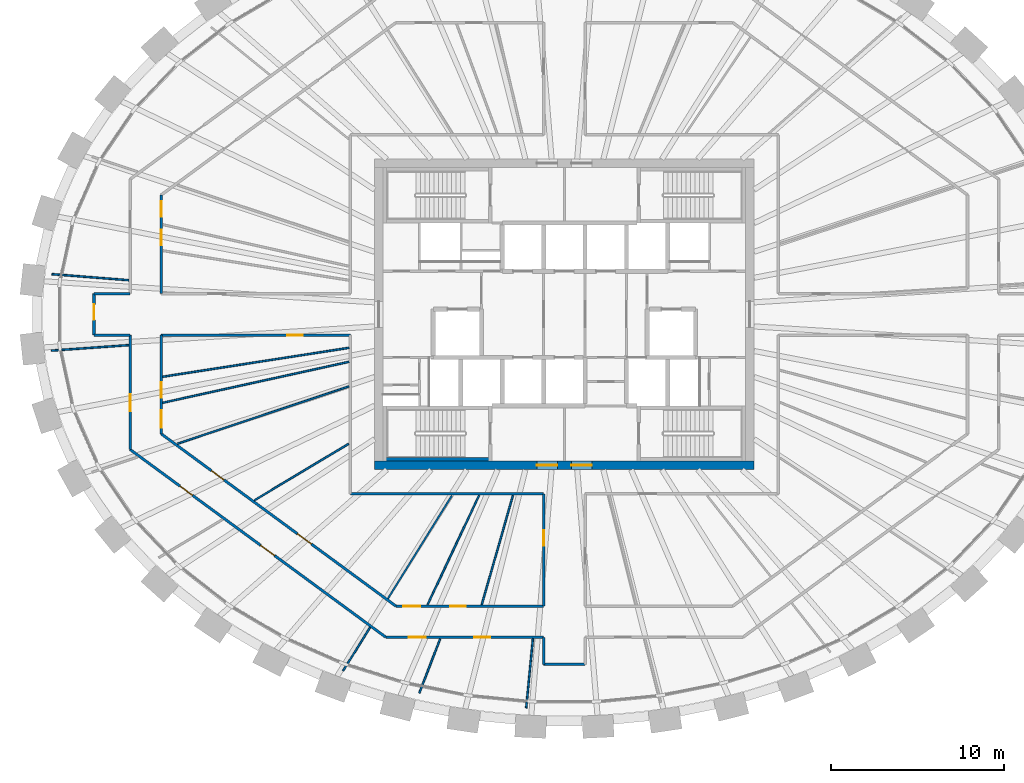
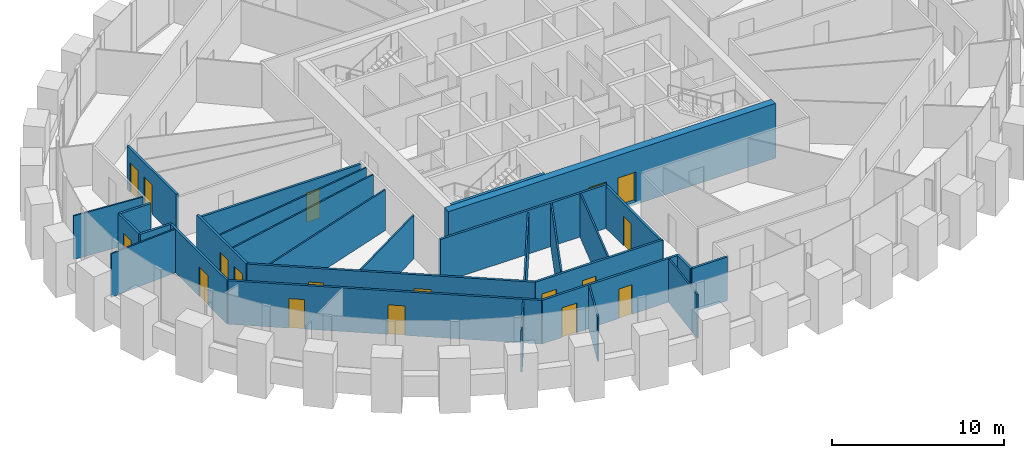
# One storey, part 6 of 12: 29 walls, 18 doors, 18 openings.
"""IFC4 building model written with IfcOpenShell, lengths in metres."""

from ifc_helpers import new_model, si_unit, direction, frame, frame_2d, origin, place, context, subcontext, project, spatial, rectangle, extrude, source, transform, mapped, material, layer, layer_set, type_object, element, fill, save


model = new_model("IFC4")

# Units and contexts
model_context = context("Model", 3, precision=1e-05, world=origin(), true_north=direction((0.0, 1.0)))
body_context = subcontext(model_context, "Body", "Model", "MODEL_VIEW")
ifc_project = project(units=[si_unit("LENGTHUNIT", "METRE"), si_unit("AREAUNIT", "SQUARE_METRE"), si_unit("VOLUMEUNIT", "CUBIC_METRE"), si_unit("PLANEANGLEUNIT", "RADIAN"), si_unit("MASSUNIT", "GRAM", prefix="KILO")], contexts=[model_context])

# Site, building, storey
site_placement = place(None, origin())
site = spatial("IfcSite", under=ifc_project, at=site_placement, CompositionType="ELEMENT")
building_placement = place(site_placement, origin())
building = spatial("IfcBuilding", under=site, at=building_placement, Name="Embergate Tower", CompositionType="ELEMENT")
storey_placement = place(building_placement, frame((0.0, 0.0, 301.300048828125)))
storey = spatial("IfcBuildingStorey", under=building, at=storey_placement, Name="L70", CompositionType="ELEMENT", Elevation=301.300048828125)

# Wall, openings, doors
ifc_material_1 = material(Name="Concrete C50", Category="concrete")
ifc_layer_1 = layer(ifc_material_1, 0.5)
ifc_layer_set_1 = layer_set([ifc_layer_1], Name="Concrete C50")
wall_type_1 = type_object("IfcWallType", Name="Core outer wall C50 500", PredefinedType="SHEAR", material=ifc_layer_set_1)
shared_shape_1 = source(origin(), body_context, "Body", "SweptSolid", [
    extrude(rectangle(XDim=22.0, YDim=0.5, at=frame_2d((11.0, 0.0))), origin(), (0.0, 0.0, 1.0), 3.89990234375),
])
wall_1_placement = place(storey_placement, frame((-11.0, -8.75, -0.199951171875), z_axis=(0.0, 0.0, 1.0), x_axis=(1.0, 0.0, 0.0)))
wall_1 = element("IfcWall", 1, at=wall_1_placement, inside=storey, type_object=wall_type_1, Name="CW-L70-S", PredefinedType="SHEAR", context=body_context, shape_type="MappedRepresentation", body=[
    mapped(shared_shape_1, transform((0.0, 0.0, 0.0))),
])
shared_shape_2 = source(origin(), body_context, "Body", "SweptSolid", [
    extrude(rectangle(XDim=1.199951171875, YDim=2.10009765625, at=frame_2d((0.60009765625, 1.050048828125))), frame((0.0, 0.260009765625, 0.0), z_axis=(0.0, -1.0, 0.0), x_axis=(1.0, 0.0, 0.0)), (0.0, 0.0, 1.0), 0.52001953125),
])
opening_1_placement = place(wall_1_placement, frame((9.39990234375, 0.0, 0.199951171875)))
opening_1 = element("IfcOpeningElement", 2, at=opening_1_placement, cuts=wall_1, Name="Opening IF-1", PredefinedType="OPENING", context=body_context, shape_type="MappedRepresentation", body=[
    mapped(shared_shape_2, transform((0.0, 0.0, 0.0))),
])
opening_2_placement = place(wall_1_placement, frame((11.39990234375, 0.0, 0.199951171875)))
opening_2 = element("IfcOpeningElement", 3, at=opening_2_placement, cuts=wall_1, Name="Opening IF-1", PredefinedType="OPENING", context=body_context, shape_type="MappedRepresentation", body=[
    mapped(shared_shape_2, transform((0.0, 0.0, 0.0))),
])
ifc_material_2 = material(Name="Escape fire door 1200")
door_type_1 = type_object("IfcDoorType", Name="Escape fire door 1200", OperationType="SINGLE_SWING_LEFT", PredefinedType="DOOR", material=ifc_material_2)
shared_shape_3 = source(origin(), body_context, "Body", "SweptSolid", [
    extrude(rectangle(XDim=1.199951171875, YDim=2.10009765625, at=frame_2d((0.60009765625, 1.050048828125))), frame((0.0, 0.02490234375, 0.0), z_axis=(0.0, -1.0, 0.0), x_axis=(1.0, 0.0, 0.0)), (0.0, 0.0, 1.0), 0.050048828125),
])
door_1_placement = place(opening_1_placement, origin())
door_1 = element("IfcDoor", 4, at=door_1_placement, inside=storey, type_object=door_type_1, Name="IF-1 door", OperationType="SINGLE_SWING_LEFT", OverallHeight=2.10009765625, OverallWidth=1.199951171875, PredefinedType="DOOR", context=body_context, shape_type="MappedRepresentation", body=[
    mapped(shared_shape_3, transform((0.0, 0.0, 0.0))),
])
fill(opening_1, door_1)
door_2_placement = place(opening_2_placement, origin())
door_2 = element("IfcDoor", 5, at=door_2_placement, inside=storey, type_object=door_type_1, Name="IF-1 door", OperationType="SINGLE_SWING_LEFT", OverallHeight=2.10009765625, OverallWidth=1.199951171875, PredefinedType="DOOR", context=body_context, shape_type="MappedRepresentation", body=[
    mapped(shared_shape_3, transform((0.0, 0.0, 0.0))),
])
fill(opening_2, door_2)

# Wall
ifc_material_3 = material(Name="Corridor wall dry-lined 150")
ifc_layer_2 = layer(ifc_material_3, 0.14990234375)
ifc_layer_set_2 = layer_set([ifc_layer_2], Name="Corridor wall dry-lined 150")
wall_type_2 = type_object("IfcWallType", Name="Corridor wall dry-lined 150", PredefinedType="PARTITIONING", material=ifc_layer_set_2)
shared_shape_4 = source(origin(), body_context, "Body", "SweptSolid", [
    extrude(rectangle(XDim=2.39990234375, YDim=0.14990234375, at=frame_2d((1.199951171875, 0.0))), origin(), (0.0, 0.0, 1.0), 3.099853515625),
])
wall_2_placement = place(storey_placement, frame((1.199951171875, -20.281005859375, 0.0), z_axis=(0.0, 0.0, 1.0), x_axis=(-1.0, 0.0, 0.0)))
element("IfcWall", 6, at=wall_2_placement, inside=storey, type_object=wall_type_2, Name="IP-2 wall", PredefinedType="PARTITIONING", context=body_context, shape_type="MappedRepresentation", body=[
    mapped(shared_shape_4, transform((0.0, 0.0, 0.0))),
])

# Wall, opening, door
wall_3_placement = place(storey_placement, frame((-27.264892578125, -1.199951171875, 0.0), z_axis=(0.0, 0.0, 1.0), x_axis=(0.0, 1.0, 0.0)))
wall_3 = element("IfcWall", 7, at=wall_3_placement, inside=storey, type_object=wall_type_2, Name="IP-2 wall", PredefinedType="PARTITIONING", context=body_context, shape_type="MappedRepresentation", body=[
    mapped(shared_shape_4, transform((0.0, 0.0, 0.0))),
])
shared_shape_5 = source(origin(), body_context, "Body", "SweptSolid", [
    extrude(rectangle(XDim=0.89990234375, YDim=2.10009765625, at=frame_2d((0.449951171875, 1.050048828125))), frame((0.0, 0.0849609375, 0.0), z_axis=(0.0, -1.0, 0.0), x_axis=(1.0, 0.0, 0.0)), (0.0, 0.0, 1.0), 0.169921875),
])
opening_3_placement = place(wall_3_placement, frame((0.8759765625, 0.0, 0.0)))
opening_3 = element("IfcOpeningElement", 8, at=opening_3_placement, cuts=wall_3, Name="Opening IF-1c", PredefinedType="OPENING", context=body_context, shape_type="MappedRepresentation", body=[
    mapped(shared_shape_5, transform((0.0, 0.0, 0.0))),
])
ifc_material_4 = material(Name="Escape fire door 900")
door_type_2 = type_object("IfcDoorType", Name="Escape fire door 900", OperationType="SINGLE_SWING_LEFT", PredefinedType="DOOR", material=ifc_material_4)
shared_shape_6 = source(origin(), body_context, "Body", "SweptSolid", [
    extrude(rectangle(XDim=0.89990234375, YDim=2.10009765625, at=frame_2d((0.449951171875, 1.050048828125))), frame((0.0, 0.02490234375, 0.0), z_axis=(0.0, -1.0, 0.0), x_axis=(1.0, 0.0, 0.0)), (0.0, 0.0, 1.0), 0.050048828125),
])
door_3_placement = place(opening_3_placement, origin())
door_3 = element("IfcDoor", 9, at=door_3_placement, inside=storey, type_object=door_type_2, Name="IF-1 door", OperationType="SINGLE_SWING_LEFT", OverallHeight=2.10009765625, OverallWidth=0.89990234375, PredefinedType="DOOR", context=body_context, shape_type="MappedRepresentation", body=[
    mapped(shared_shape_6, transform((0.0, 0.0, 0.0))),
])
fill(opening_3, door_3)

# Walls
shared_shape_7 = source(origin(), body_context, "Body", "SweptSolid", [
    extrude(rectangle(XDim=11.199951171875, YDim=0.14990234375, at=frame_2d((5.60009765625, 0.0))), origin(), (0.0, 0.0, 1.0), 3.099853515625),
])
wall_4_placement = place(storey_placement, frame((-12.39990234375, -10.39990234375, 0.0), z_axis=(0.0, 0.0, 1.0), x_axis=(1.0, 0.0, 0.0)))
element("IfcWall", 10, at=wall_4_placement, inside=storey, type_object=wall_type_2, Name="IP-2 wall", PredefinedType="PARTITIONING", context=body_context, shape_type="MappedRepresentation", body=[
    mapped(shared_shape_7, transform((0.0, 0.0, 0.0))),
])
ifc_layer_3 = layer(ifc_material_1, 0.199951171875)
ifc_layer_set_3 = layer_set([ifc_layer_3], Name="Concrete C50")
wall_type_3 = type_object("IfcWallType", Name="Stair enclosure wall reinforced concrete 250", PredefinedType="SHEAR", material=ifc_layer_set_3)
shared_shape_8 = source(origin(), body_context, "Body", "SweptSolid", [
    extrude(rectangle(XDim=6.298095703125, YDim=0.199951171875, at=frame_2d((3.14892578125, 0.0))), origin(), (0.0, 0.0, 1.0), 3.699951171875),
])
wall_5_placement = place(storey_placement, frame((-10.5, -8.39990234375, 0.0), z_axis=(0.0, 0.0, 1.0), x_axis=(1.0, 0.0, 0.0)))
element("IfcWall", 11, at=wall_5_placement, inside=storey, type_object=wall_type_3, Name="SE-1 wall", PredefinedType="SHEAR", context=body_context, shape_type="MappedRepresentation", body=[
    mapped(shared_shape_8, transform((0.0, 0.0, 0.0))),
])

# Wall, opening, door
shared_shape_9 = source(origin(), body_context, "Body", "SweptSolid", [
    extrude(rectangle(XDim=6.51318359375, YDim=0.14990234375, at=frame_2d((3.256591796875, 0.0))), origin(), (0.0, 0.0, 1.0), 3.0),
])
wall_6_placement = place(storey_placement, frame((-1.199951171875, -16.9130859375, 0.0), z_axis=(0.0, 0.0, 1.0), x_axis=(0.0, 1.0, 0.0)))
wall_6 = element("IfcWall", 12, at=wall_6_placement, inside=storey, type_object=wall_type_2, Name="IP-2 wall", PredefinedType="PARTITIONING", context=body_context, shape_type="MappedRepresentation", body=[
    mapped(shared_shape_9, transform((0.0, 0.0, 0.0))),
])
opening_4_placement = place(wall_6_placement, frame((3.50830078125, 0.0, 0.0)))
opening_4 = element("IfcOpeningElement", 13, at=opening_4_placement, cuts=wall_6, Name="Opening IF-1c", PredefinedType="OPENING", context=body_context, shape_type="MappedRepresentation", body=[
    mapped(shared_shape_5, transform((0.0, 0.0, 0.0))),
])
door_4_placement = place(opening_4_placement, origin())
door_4 = element("IfcDoor", 14, at=door_4_placement, inside=storey, type_object=door_type_2, Name="IF-1 door", OperationType="SINGLE_SWING_LEFT", OverallHeight=2.10009765625, OverallWidth=0.89990234375, PredefinedType="DOOR", context=body_context, shape_type="MappedRepresentation", body=[
    mapped(shared_shape_6, transform((0.0, 0.0, 0.0))),
])
fill(opening_4, door_4)

# Walls
ifc_material_5 = material(Name="Partition dry-lined 100")
ifc_layer_4 = layer(ifc_material_5, 0.10009765625)
ifc_layer_set_4 = layer_set([ifc_layer_4], Name="Partition dry-lined 100")
wall_type_4 = type_object("IfcWallType", Name="Partition dry-lined 100", PredefinedType="PARTITIONING", material=ifc_layer_set_4)
shared_shape_10 = source(origin(), body_context, "Body", "SweptSolid", [
    extrude(rectangle(XDim=2.969482421875, YDim=0.10009765625, at=frame_2d((1.48486328125, 0.0))), origin(), (0.0, 0.0, 1.0), 3.0),
])
wall_7_placement = place(storey_placement, frame((-11.259033203125, -18.135986328125, 0.0), z_axis=(0.0, 0.0, 1.0), x_axis=(-0.527350581852, -0.849647788098, 0.0)))
element("IfcWall", 15, at=wall_7_placement, inside=storey, type_object=wall_type_4, Name="IP-1 wall", PredefinedType="PARTITIONING", context=body_context, shape_type="MappedRepresentation", body=[
    mapped(shared_shape_10, transform((0.0, 0.0, 0.0))),
])
shared_shape_11 = source(origin(), body_context, "Body", "SweptSolid", [
    extrude(rectangle(XDim=10.462158203125, YDim=0.10009765625, at=frame_2d((5.23095703125, 0.0))), origin(), (0.0, 0.0, 1.0), 2.89990234375),
])
wall_8_placement = place(storey_placement, frame((-12.490966796875, -4.176025390625, 0.0), z_axis=(0.0, 0.0, 1.0), x_axis=(-0.948381839058, -0.317130710189, 0.0)))
element("IfcWall", 16, at=wall_8_placement, inside=storey, type_object=wall_type_4, Name="IP-1 wall", PredefinedType="PARTITIONING", context=body_context, shape_type="MappedRepresentation", body=[
    mapped(shared_shape_11, transform((0.0, 0.0, 0.0))),
])
shared_shape_12 = source(origin(), body_context, "Body", "SweptSolid", [
    extrude(rectangle(XDim=7.03125, YDim=0.10009765625, at=frame_2d((3.515625, 0.0))), origin(), (0.0, 0.0, 1.0), 3.0),
])
wall_9_placement = place(storey_placement, frame((-6.51904296875, -10.5009765625, 0.0), z_axis=(0.0, 0.0, 1.0), x_axis=(-0.527355947188, -0.849644457973, 0.0)))
element("IfcWall", 17, at=wall_9_placement, inside=storey, type_object=wall_type_4, Name="IP-1 wall", PredefinedType="PARTITIONING", context=body_context, shape_type="MappedRepresentation", body=[
    mapped(shared_shape_12, transform((0.0, 0.0, 0.0))),
])

# Wall, openings, doors
shared_shape_13 = source(origin(), body_context, "Body", "SweptSolid", [
    extrude(rectangle(XDim=18.38427734375, YDim=0.14990234375, at=frame_2d((9.192138671875, 0.0))), origin(), (0.0, 0.0, 1.0), 3.099853515625),
])
wall_10_placement = place(storey_placement, frame((-25.166015625, -7.833984375, 0.0), z_axis=(0.0, 0.0, 1.0), x_axis=(0.80612330372, -0.591747597545, 0.0)))
wall_10 = element("IfcWall", 18, at=wall_10_placement, inside=storey, type_object=wall_type_2, Name="IP-2 wall", PredefinedType="PARTITIONING", context=body_context, shape_type="MappedRepresentation", body=[
    mapped(shared_shape_13, transform((0.0, 0.0, 0.0))),
])
opening_5_placement = place(wall_10_placement, frame((3.58349609375, 0.0, 0.0)))
opening_5 = element("IfcOpeningElement", 19, at=opening_5_placement, cuts=wall_10, Name="Opening IF-1c", PredefinedType="OPENING", context=body_context, shape_type="MappedRepresentation", body=[
    mapped(shared_shape_5, transform((0.0, 0.0, 0.0))),
])
shared_shape_14 = source(origin(), body_context, "Body", "SweptSolid", [
    extrude(rectangle(XDim=1.0, YDim=2.10009765625, at=frame_2d((0.5, 1.050048828125))), frame((0.0, 0.0849609375, 0.0), z_axis=(0.0, -1.0, 0.0), x_axis=(1.0, 0.0, 0.0)), (0.0, 0.0, 1.0), 0.169921875),
])
opening_6_placement = place(wall_10_placement, frame((9.37744140625, 0.0, 0.0)))
opening_6 = element("IfcOpeningElement", 20, at=opening_6_placement, cuts=wall_10, Name="Opening ID-2", PredefinedType="OPENING", context=body_context, shape_type="MappedRepresentation", body=[
    mapped(shared_shape_14, transform((0.0, 0.0, 0.0))),
])
door_5_placement = place(opening_5_placement, origin())
door_5 = element("IfcDoor", 21, at=door_5_placement, inside=storey, type_object=door_type_2, Name="IF-1 door", OperationType="SINGLE_SWING_RIGHT", OverallHeight=2.10009765625, OverallWidth=0.89990234375, PredefinedType="DOOR", context=body_context, shape_type="MappedRepresentation", body=[
    mapped(shared_shape_6, transform((0.0, 0.0, 0.0))),
])
fill(opening_5, door_5)
ifc_material_6 = material(Name="Interior door 1000")
door_type_3 = type_object("IfcDoorType", Name="Interior door 1000", OperationType="SINGLE_SWING_LEFT", PredefinedType="DOOR", material=ifc_material_6)
shared_shape_15 = source(origin(), body_context, "Body", "SweptSolid", [
    extrude(rectangle(XDim=1.0, YDim=2.10009765625, at=frame_2d((0.5, 1.050048828125))), frame((0.0, 0.02490234375, 0.0), z_axis=(0.0, -1.0, 0.0), x_axis=(1.0, 0.0, 0.0)), (0.0, 0.0, 1.0), 0.050048828125),
])
door_6_placement = place(opening_6_placement, origin())
door_6 = element("IfcDoor", 22, at=door_6_placement, inside=storey, type_object=door_type_3, Name="ID-2 door", OperationType="SINGLE_SWING_RIGHT", OverallHeight=2.10009765625, OverallWidth=1.0, PredefinedType="DOOR", context=body_context, shape_type="MappedRepresentation", body=[
    mapped(shared_shape_15, transform((0.0, 0.0, 0.0))),
])
fill(opening_6, door_6)

shared_shape_16 = source(origin(), body_context, "Body", "SweptSolid", [
    extrude(rectangle(XDim=16.8828125, YDim=0.14990234375, at=frame_2d((8.44140625, 0.0))), origin(), (0.0, 0.0, 1.0), 3.099853515625),
])
wall_11_placement = place(storey_placement, frame((-9.756103515625, -16.9130859375, 0.0), z_axis=(0.0, 0.0, 1.0), x_axis=(-0.806138724475, 0.591726589653, 0.0)))
wall_11 = element("IfcWall", 23, at=wall_11_placement, inside=storey, type_object=wall_type_2, Name="IP-2 wall", PredefinedType="PARTITIONING", context=body_context, shape_type="MappedRepresentation", body=[
    mapped(shared_shape_16, transform((0.0, 0.0, 0.0))),
])
opening_7_placement = place(wall_11_placement, frame((12.373779296875, 0.0, 0.0)))
opening_7 = element("IfcOpeningElement", 24, at=opening_7_placement, cuts=wall_11, Name="Opening IF-1c", PredefinedType="OPENING", context=body_context, shape_type="MappedRepresentation", body=[
    mapped(shared_shape_5, transform((0.0, 0.0, 0.0))),
])
opening_8_placement = place(wall_11_placement, frame((6.087890625, 0.0, 0.0)))
opening_8 = element("IfcOpeningElement", 25, at=opening_8_placement, cuts=wall_11, Name="Opening ID-2", PredefinedType="OPENING", context=body_context, shape_type="MappedRepresentation", body=[
    mapped(shared_shape_14, transform((0.0, 0.0, 0.0))),
])
door_7_placement = place(opening_7_placement, origin())
door_7 = element("IfcDoor", 26, at=door_7_placement, inside=storey, type_object=door_type_2, Name="IF-1 door", OperationType="SINGLE_SWING_RIGHT", OverallHeight=2.10009765625, OverallWidth=0.89990234375, PredefinedType="DOOR", context=body_context, shape_type="MappedRepresentation", body=[
    mapped(shared_shape_6, transform((0.0, 0.0, 0.0))),
])
fill(opening_7, door_7)
door_8_placement = place(opening_8_placement, origin())
door_8 = element("IfcDoor", 27, at=door_8_placement, inside=storey, type_object=door_type_3, Name="ID-2 door", OperationType="SINGLE_SWING_LEFT", OverallHeight=2.10009765625, OverallWidth=1.0, PredefinedType="DOOR", context=body_context, shape_type="MappedRepresentation", body=[
    mapped(shared_shape_15, transform((0.0, 0.0, 0.0))),
])
fill(opening_8, door_8)

shared_shape_17 = source(origin(), body_context, "Body", "SweptSolid", [
    extrude(rectangle(XDim=9.14599609375, YDim=0.14990234375, at=frame_2d((4.572998046875, 0.0))), origin(), (0.0, 0.0, 1.0), 3.099853515625),
])
wall_12_placement = place(storey_placement, frame((-10.345947265625, -18.712890625, 0.0), z_axis=(0.0, 0.0, 1.0), x_axis=(1.0, 0.0, 0.0)))
wall_12 = element("IfcWall", 28, at=wall_12_placement, inside=storey, type_object=wall_type_2, Name="IP-2 wall", PredefinedType="PARTITIONING", context=body_context, shape_type="MappedRepresentation", body=[
    mapped(shared_shape_17, transform((0.0, 0.0, 0.0))),
])
opening_9_placement = place(wall_12_placement, frame((1.31298828125, 0.0, 0.0)))
opening_9 = element("IfcOpeningElement", 29, at=opening_9_placement, cuts=wall_12, Name="Opening ID-2", PredefinedType="OPENING", context=body_context, shape_type="MappedRepresentation", body=[
    mapped(shared_shape_14, transform((0.0, 0.0, 0.0))),
])
opening_10_placement = place(wall_12_placement, frame((5.135009765625, 0.0, 0.0)))
opening_10 = element("IfcOpeningElement", 30, at=opening_10_placement, cuts=wall_12, Name="Opening IF-1c", PredefinedType="OPENING", context=body_context, shape_type="MappedRepresentation", body=[
    mapped(shared_shape_5, transform((0.0, 0.0, 0.0))),
])
door_9_placement = place(opening_10_placement, origin())
door_9 = element("IfcDoor", 31, at=door_9_placement, inside=storey, type_object=door_type_2, Name="IF-1 door", OperationType="SINGLE_SWING_LEFT", OverallHeight=2.10009765625, OverallWidth=0.89990234375, PredefinedType="DOOR", context=body_context, shape_type="MappedRepresentation", body=[
    mapped(shared_shape_6, transform((0.0, 0.0, 0.0))),
])
fill(opening_10, door_9)
door_10_placement = place(opening_9_placement, origin())
door_10 = element("IfcDoor", 32, at=door_10_placement, inside=storey, type_object=door_type_3, Name="ID-2 door", OperationType="SINGLE_SWING_LEFT", OverallHeight=2.10009765625, OverallWidth=1.0, PredefinedType="DOOR", context=body_context, shape_type="MappedRepresentation", body=[
    mapped(shared_shape_15, transform((0.0, 0.0, 0.0))),
])
fill(opening_9, door_10)

# Wall
shared_shape_18 = source(origin(), body_context, "Body", "SweptSolid", [
    extrude(rectangle(XDim=1.568115234375, YDim=0.14990234375, at=frame_2d((0.7841796875, 0.0))), origin(), (0.0, 0.0, 1.0), 3.099853515625),
])
wall_13_placement = place(storey_placement, frame((-1.199951171875, -20.281005859375, 0.0), z_axis=(0.0, 0.0, 1.0), x_axis=(0.0, 1.0, 0.0)))
element("IfcWall", 33, at=wall_13_placement, inside=storey, type_object=wall_type_2, Name="IP-2 wall", PredefinedType="PARTITIONING", context=body_context, shape_type="MappedRepresentation", body=[
    mapped(shared_shape_18, transform((0.0, 0.0, 0.0))),
])

# Wall, openings, doors
shared_shape_19 = source(origin(), body_context, "Body", "SweptSolid", [
    extrude(rectangle(XDim=8.55615234375, YDim=0.14990234375, at=frame_2d((4.278076171875, 0.0))), origin(), (0.0, 0.0, 1.0), 3.099853515625),
])
wall_14_placement = place(storey_placement, frame((-1.199951171875, -16.9130859375, 0.0), z_axis=(0.0, 0.0, 1.0), x_axis=(-1.0, 0.0, 0.0)))
wall_14 = element("IfcWall", 34, at=wall_14_placement, inside=storey, type_object=wall_type_2, Name="IP-2 wall", PredefinedType="PARTITIONING", context=body_context, shape_type="MappedRepresentation", body=[
    mapped(shared_shape_19, transform((0.0, 0.0, 0.0))),
])
opening_11_placement = place(wall_14_placement, frame((7.14990234375, 0.0, 0.0)))
opening_11 = element("IfcOpeningElement", 35, at=opening_11_placement, cuts=wall_14, Name="Opening ID-2", PredefinedType="OPENING", context=body_context, shape_type="MappedRepresentation", body=[
    mapped(shared_shape_14, transform((0.0, 0.0, 0.0))),
])
opening_12_placement = place(wall_14_placement, frame((4.509033203125, 0.0, 0.0)))
opening_12 = element("IfcOpeningElement", 36, at=opening_12_placement, cuts=wall_14, Name="Opening IF-1c", PredefinedType="OPENING", context=body_context, shape_type="MappedRepresentation", body=[
    mapped(shared_shape_5, transform((0.0, 0.0, 0.0))),
])
door_11_placement = place(opening_12_placement, origin())
door_11 = element("IfcDoor", 37, at=door_11_placement, inside=storey, type_object=door_type_2, Name="IF-1 door", OperationType="SINGLE_SWING_RIGHT", OverallHeight=2.10009765625, OverallWidth=0.89990234375, PredefinedType="DOOR", context=body_context, shape_type="MappedRepresentation", body=[
    mapped(shared_shape_6, transform((0.0, 0.0, 0.0))),
])
fill(opening_12, door_11)
door_12_placement = place(opening_11_placement, origin())
door_12 = element("IfcDoor", 38, at=door_12_placement, inside=storey, type_object=door_type_3, Name="ID-2 door", OperationType="SINGLE_SWING_RIGHT", OverallHeight=2.10009765625, OverallWidth=1.0, PredefinedType="DOOR", context=body_context, shape_type="MappedRepresentation", body=[
    mapped(shared_shape_15, transform((0.0, 0.0, 0.0))),
])
fill(opening_11, door_12)

# Wall, opening, door
shared_shape_20 = source(origin(), body_context, "Body", "SweptSolid", [
    extrude(rectangle(XDim=6.634033203125, YDim=0.14990234375, at=frame_2d((3.31689453125, 0.0))), origin(), (0.0, 0.0, 1.0), 3.099853515625),
])
wall_15_placement = place(storey_placement, frame((-25.166015625, -7.833984375, 0.0), z_axis=(0.0, 0.0, 1.0), x_axis=(0.0, 1.0, 0.0)))
wall_15 = element("IfcWall", 39, at=wall_15_placement, inside=storey, type_object=wall_type_2, Name="IP-2 wall", PredefinedType="PARTITIONING", context=body_context, shape_type="MappedRepresentation", body=[
    mapped(shared_shape_20, transform((0.0, 0.0, 0.0))),
])
opening_13_placement = place(wall_15_placement, frame((2.21826171875, 0.0, 0.0)))
opening_13 = element("IfcOpeningElement", 40, at=opening_13_placement, cuts=wall_15, Name="Opening ID-2", PredefinedType="OPENING", context=body_context, shape_type="MappedRepresentation", body=[
    mapped(shared_shape_14, transform((0.0, 0.0, 0.0))),
])
door_13_placement = place(opening_13_placement, origin())
door_13 = element("IfcDoor", 41, at=door_13_placement, inside=storey, type_object=door_type_3, Name="ID-2 door", OperationType="SINGLE_SWING_LEFT", OverallHeight=2.10009765625, OverallWidth=1.0, PredefinedType="DOOR", context=body_context, shape_type="MappedRepresentation", body=[
    mapped(shared_shape_15, transform((0.0, 0.0, 0.0))),
])
fill(opening_13, door_13)

# Walls
shared_shape_21 = source(origin(), body_context, "Body", "SweptSolid", [
    extrude(rectangle(XDim=2.098876953125, YDim=0.14990234375, at=frame_2d((1.04931640625, 0.0))), origin(), (0.0, 0.0, 1.0), 3.099853515625),
])
for number, where, z_axis, x_axis, name in (
    (42, (-25.166015625, -1.199951171875, 0.0), (0.0, 0.0, 1.0), (-1.0, 0.0, 0.0), "IP-2 wall"),
    (43, (-27.264892578125, 1.199951171875, 0.0), (0.0, 0.0, 1.0), (1.0, 0.0, 0.0), "IP-2 wall"),
):
    element("IfcWall", number, at=place(storey_placement, frame(where, z_axis=z_axis, x_axis=x_axis)), inside=storey, type_object=wall_type_2, Name=name, PredefinedType="PARTITIONING", context=body_context, shape_type="MappedRepresentation", body=[
        mapped(shared_shape_21, transform((0.0, 0.0, 0.0))),
    ])

# Wall, openings, doors
shared_shape_22 = source(origin(), body_context, "Body", "SweptSolid", [
    extrude(rectangle(XDim=5.72314453125, YDim=0.14990234375, at=frame_2d((2.861572265625, 0.0))), origin(), (0.0, 0.0, 1.0), 3.099853515625),
])
wall_16_placement = place(storey_placement, frame((-23.365966796875, -1.199951171875, 0.0), z_axis=(0.0, 0.0, 1.0), x_axis=(0.0, -1.0, 0.0)))
wall_16 = element("IfcWall", 44, at=wall_16_placement, inside=storey, type_object=wall_type_2, Name="IP-2 wall", PredefinedType="PARTITIONING", context=body_context, shape_type="MappedRepresentation", body=[
    mapped(shared_shape_22, transform((0.0, 0.0, 0.0))),
])
opening_14_placement = place(wall_16_placement, frame((2.73388671875, 0.0, 0.0)))
opening_14 = element("IfcOpeningElement", 45, at=opening_14_placement, cuts=wall_16, Name="Opening IF-1c", PredefinedType="OPENING", context=body_context, shape_type="MappedRepresentation", body=[
    mapped(shared_shape_5, transform((0.0, 0.0, 0.0))),
])
opening_15_placement = place(wall_16_placement, frame((4.35791015625, 0.0, 0.0)))
opening_15 = element("IfcOpeningElement", 46, at=opening_15_placement, cuts=wall_16, Name="Opening ID-2", PredefinedType="OPENING", context=body_context, shape_type="MappedRepresentation", body=[
    mapped(shared_shape_14, transform((0.0, 0.0, 0.0))),
])
door_14_placement = place(opening_14_placement, origin())
door_14 = element("IfcDoor", 47, at=door_14_placement, inside=storey, type_object=door_type_2, Name="IF-1 door", OperationType="SINGLE_SWING_LEFT", OverallHeight=2.10009765625, OverallWidth=0.89990234375, PredefinedType="DOOR", context=body_context, shape_type="MappedRepresentation", body=[
    mapped(shared_shape_6, transform((0.0, 0.0, 0.0))),
])
fill(opening_14, door_14)
door_15_placement = place(opening_15_placement, origin())
door_15 = element("IfcDoor", 48, at=door_15_placement, inside=storey, type_object=door_type_3, Name="ID-2 door", OperationType="SINGLE_SWING_RIGHT", OverallHeight=2.10009765625, OverallWidth=1.0, PredefinedType="DOOR", context=body_context, shape_type="MappedRepresentation", body=[
    mapped(shared_shape_15, transform((0.0, 0.0, 0.0))),
])
fill(opening_15, door_15)

wall_17_placement = place(storey_placement, frame((-23.365966796875, 1.199951171875, 0.0), z_axis=(0.0, 0.0, 1.0), x_axis=(0.0, 1.0, 0.0)))
wall_17 = element("IfcWall", 49, at=wall_17_placement, inside=storey, type_object=wall_type_2, Name="IP-2 wall", PredefinedType="PARTITIONING", context=body_context, shape_type="MappedRepresentation", body=[
    mapped(shared_shape_22, transform((0.0, 0.0, 0.0))),
])
opening_16_placement = place(wall_17_placement, frame((4.448974609375, 0.0, 0.0)))
opening_16 = element("IfcOpeningElement", 50, at=opening_16_placement, cuts=wall_17, Name="Opening IF-1c", PredefinedType="OPENING", context=body_context, shape_type="MappedRepresentation", body=[
    mapped(shared_shape_5, transform((0.0, 0.0, 0.0))),
])
opening_17_placement = place(wall_17_placement, frame((2.81396484375, 0.0, 0.0)))
opening_17 = element("IfcOpeningElement", 51, at=opening_17_placement, cuts=wall_17, Name="Opening IF-1c", PredefinedType="OPENING", context=body_context, shape_type="MappedRepresentation", body=[
    mapped(shared_shape_5, transform((0.0, 0.0, 0.0))),
])
door_16_placement = place(opening_16_placement, origin())
door_16 = element("IfcDoor", 52, at=door_16_placement, inside=storey, type_object=door_type_2, Name="IF-1 door", OperationType="SINGLE_SWING_RIGHT", OverallHeight=2.10009765625, OverallWidth=0.89990234375, PredefinedType="DOOR", context=body_context, shape_type="MappedRepresentation", body=[
    mapped(shared_shape_6, transform((0.0, 0.0, 0.0))),
])
fill(opening_16, door_16)
door_17_placement = place(opening_17_placement, origin())
door_17 = element("IfcDoor", 53, at=door_17_placement, inside=storey, type_object=door_type_2, Name="IF-1 door", OperationType="SINGLE_SWING_RIGHT", OverallHeight=2.10009765625, OverallWidth=0.89990234375, PredefinedType="DOOR", context=body_context, shape_type="MappedRepresentation", body=[
    mapped(shared_shape_6, transform((0.0, 0.0, 0.0))),
])
fill(opening_17, door_17)

# Wall, opening, door
shared_shape_23 = source(origin(), body_context, "Body", "SweptSolid", [
    extrude(rectangle(XDim=10.966064453125, YDim=0.14990234375, at=frame_2d((5.48291015625, 0.0))), origin(), (0.0, 0.0, 1.0), 2.89990234375),
])
wall_18_placement = place(storey_placement, frame((-12.39990234375, -1.199951171875, 0.0), z_axis=(0.0, 0.0, 1.0), x_axis=(-1.0, 0.0, 0.0)))
wall_18 = element("IfcWall", 54, at=wall_18_placement, inside=storey, type_object=wall_type_2, Name="IP-2 wall", PredefinedType="PARTITIONING", context=body_context, shape_type="MappedRepresentation", body=[
    mapped(shared_shape_23, transform((0.0, 0.0, 0.0))),
])
opening_18_placement = place(wall_18_placement, frame((2.760986328125, 0.0, 0.0)))
opening_18 = element("IfcOpeningElement", 55, at=opening_18_placement, cuts=wall_18, Name="Opening IF-1c", PredefinedType="OPENING", context=body_context, shape_type="MappedRepresentation", body=[
    mapped(shared_shape_5, transform((0.0, 0.0, 0.0))),
])
door_18_placement = place(opening_18_placement, origin())
door_18 = element("IfcDoor", 56, at=door_18_placement, inside=storey, type_object=door_type_2, Name="IF-1 door", OperationType="SINGLE_SWING_LEFT", OverallHeight=2.10009765625, OverallWidth=0.89990234375, PredefinedType="DOOR", context=body_context, shape_type="MappedRepresentation", body=[
    mapped(shared_shape_6, transform((0.0, 0.0, 0.0))),
])
fill(opening_18, door_18)

# Walls
shared_shape_24 = source(origin(), body_context, "Body", "SweptSolid", [
    extrude(rectangle(XDim=6.365966796875, YDim=0.10009765625, at=frame_2d((3.18310546875, 0.0))), origin(), (0.0, 0.0, 1.0), 3.099853515625),
])
wall_19_placement = place(storey_placement, frame((-12.5009765625, -7.4990234375, 0.0), z_axis=(0.0, 0.0, 1.0), x_axis=(-0.857526762912, -0.51443935589, 0.0)))
element("IfcWall", 57, at=wall_19_placement, inside=storey, type_object=wall_type_4, Name="IP-1 wall", PredefinedType="PARTITIONING", context=body_context, shape_type="MappedRepresentation", body=[
    mapped(shared_shape_24, transform((0.0, 0.0, 0.0))),
])
shared_shape_25 = source(origin(), body_context, "Body", "SweptSolid", [
    extrude(rectangle(XDim=3.36767578125, YDim=0.10009765625, at=frame_2d((1.683837890625, 0.0))), origin(), (0.0, 0.0, 1.0), 3.099853515625),
])
wall_20_placement = place(storey_placement, frame((-7.202880859375, -18.805908203125, 0.0), z_axis=(0.0, 0.0, 1.0), x_axis=(-0.357550412508, -0.933893838996, 0.0)))
element("IfcWall", 58, at=wall_20_placement, inside=storey, type_object=wall_type_4, Name="IP-1 wall", PredefinedType="PARTITIONING", context=body_context, shape_type="MappedRepresentation", body=[
    mapped(shared_shape_25, transform((0.0, 0.0, 0.0))),
])
shared_shape_26 = source(origin(), body_context, "Body", "SweptSolid", [
    extrude(rectangle(XDim=4.044921875, YDim=0.10009765625, at=frame_2d((2.0224609375, 0.0))), origin(), (0.0, 0.0, 1.0), 3.099853515625),
])
wall_21_placement = place(storey_placement, frame((-1.822021484375, -18.7880859375, 0.0), z_axis=(0.0, 0.0, 1.0), x_axis=(-0.096634759005, -0.995319910055, 0.0)))
element("IfcWall", 59, at=wall_21_placement, inside=storey, type_object=wall_type_4, Name="IP-1 wall", PredefinedType="PARTITIONING", context=body_context, shape_type="MappedRepresentation", body=[
    mapped(shared_shape_26, transform((0.0, 0.0, 0.0))),
])
shared_shape_27 = source(origin(), body_context, "Body", "SweptSolid", [
    extrude(rectangle(XDim=6.9873046875, YDim=0.10009765625, at=frame_2d((3.49365234375, 0.0))), origin(), (0.0, 0.0, 1.0), 3.099853515625),
])
wall_22_placement = place(storey_placement, frame((-4.947021484375, -10.49609375, 0.0), z_axis=(0.0, 0.0, 1.0), x_axis=(-0.426210939292, -0.904623808679, 0.0)))
element("IfcWall", 60, at=wall_22_placement, inside=storey, type_object=wall_type_4, Name="IP-1 wall", PredefinedType="PARTITIONING", context=body_context, shape_type="MappedRepresentation", body=[
    mapped(shared_shape_27, transform((0.0, 0.0, 0.0))),
])
shared_shape_28 = source(origin(), body_context, "Body", "SweptSolid", [
    extrude(rectangle(XDim=6.58740234375, YDim=0.10009765625, at=frame_2d((3.293701171875, 0.0))), origin(), (0.0, 0.0, 1.0), 3.099853515625),
])
wall_23_placement = place(storey_placement, frame((-2.98291015625, -10.489013671875, 0.0), z_axis=(0.0, 0.0, 1.0), x_axis=(-0.273697939772, -0.961815698439, 0.0)))
element("IfcWall", 61, at=wall_23_placement, inside=storey, type_object=wall_type_4, Name="IP-1 wall", PredefinedType="PARTITIONING", context=body_context, shape_type="MappedRepresentation", body=[
    mapped(shared_shape_28, transform((0.0, 0.0, 0.0))),
])
shared_shape_29 = source(origin(), body_context, "Body", "SweptSolid", [
    extrude(rectangle(XDim=4.4716796875, YDim=0.10009765625, at=frame_2d((2.23583984375, 0.0))), origin(), (0.0, 0.0, 1.0), 3.099853515625),
])
wall_24_placement = place(storey_placement, frame((-25.240966796875, 1.98095703125, 0.0), z_axis=(0.0, 0.0, 1.0), x_axis=(-0.996930528603, 0.07829125838, 0.0)))
element("IfcWall", 62, at=wall_24_placement, inside=storey, type_object=wall_type_4, Name="IP-1 wall", PredefinedType="PARTITIONING", context=body_context, shape_type="MappedRepresentation", body=[
    mapped(shared_shape_29, transform((0.0, 0.0, 0.0))),
])
shared_shape_30 = source(origin(), body_context, "Body", "SweptSolid", [
    extrude(rectangle(XDim=4.503173828125, YDim=0.10009765625, at=frame_2d((2.25146484375, 0.0))), origin(), (0.0, 0.0, 1.0), 3.099853515625),
])
wall_25_placement = place(storey_placement, frame((-25.240966796875, -1.781982421875, 0.0), z_axis=(0.0, 0.0, 1.0), x_axis=(-0.997516981366, -0.070426357889, 0.0)))
element("IfcWall", 63, at=wall_25_placement, inside=storey, type_object=wall_type_4, Name="IP-1 wall", PredefinedType="PARTITIONING", context=body_context, shape_type="MappedRepresentation", body=[
    mapped(shared_shape_30, transform((0.0, 0.0, 0.0))),
])
shared_shape_31 = source(origin(), body_context, "Body", "SweptSolid", [
    extrude(rectangle(XDim=10.929443359375, YDim=0.10009765625, at=frame_2d((5.46484375, 0.0))), origin(), (0.0, 0.0, 1.0), 3.099853515625),
])
wall_26_placement = place(storey_placement, frame((-12.48291015625, -1.93798828125, 0.0), z_axis=(0.0, 0.0, 1.0), x_axis=(-0.988158200107, -0.153438494395, 0.0)))
element("IfcWall", 64, at=wall_26_placement, inside=storey, type_object=wall_type_4, Name="IP-1 wall", PredefinedType="PARTITIONING", context=body_context, shape_type="MappedRepresentation", body=[
    mapped(shared_shape_31, transform((0.0, 0.0, 0.0))),
])
shared_shape_32 = source(origin(), body_context, "Body", "SweptSolid", [
    extrude(rectangle(XDim=11.05224609375, YDim=0.10009765625, at=frame_2d((5.526123046875, 0.0))), origin(), (0.0, 0.0, 1.0), 3.099853515625),
])
wall_27_placement = place(storey_placement, frame((-12.486083984375, -2.748046875, 0.0), z_axis=(0.0, 0.0, 1.0), x_axis=(-0.976638162112, -0.214890437913, 0.0)))
element("IfcWall", 65, at=wall_27_placement, inside=storey, type_object=wall_type_4, Name="IP-1 wall", PredefinedType="PARTITIONING", context=body_context, shape_type="MappedRepresentation", body=[
    mapped(shared_shape_32, transform((0.0, 0.0, 0.0))),
])

save(model, "model.ifc")
